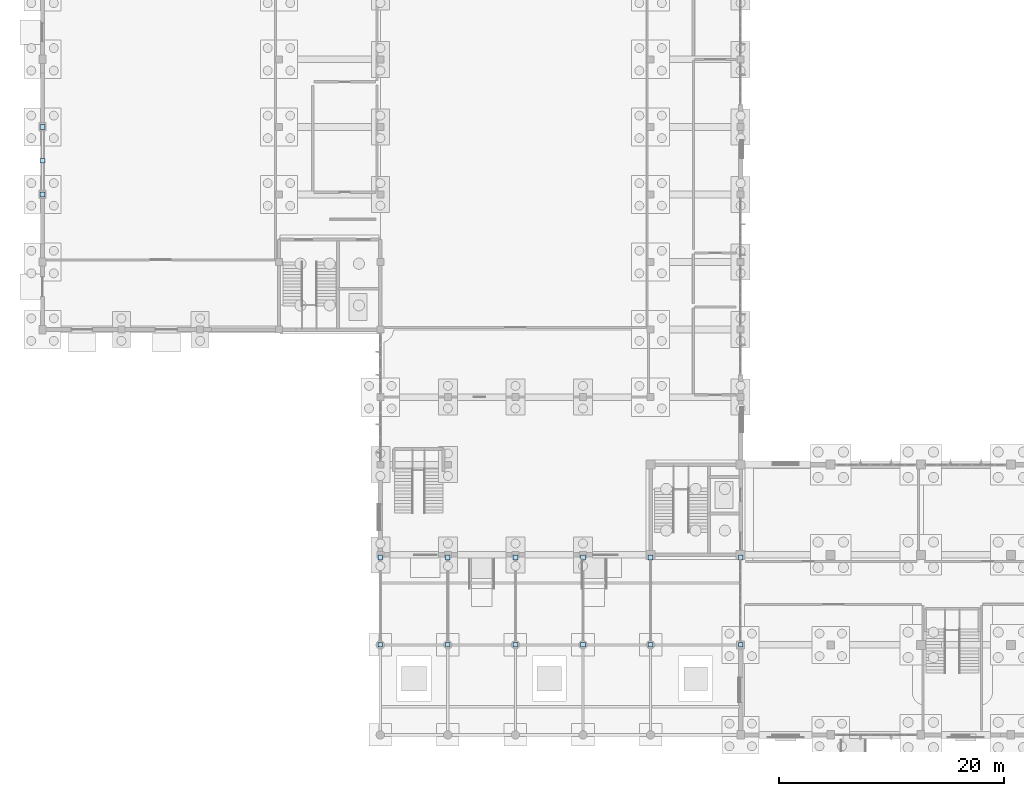
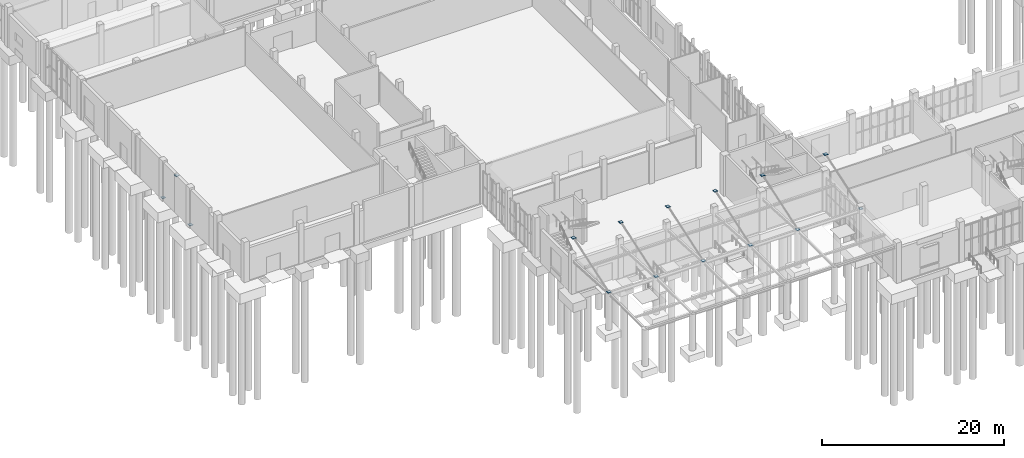
# One storey, part 41 of 69: 15 plates.
"""IFC4 building model written with IfcOpenShell, lengths in metres."""

import ifcopenshell
import ifcopenshell.guid

model = None  # the IFC model being written
_history = None  # IfcOwnerHistory: only IFC2X3 demands one
_inside = {}  # id of a spatial element -> (the spatial element, [elements in it])
_under = {}  # id of a project, library or spatial element -> (it, [spatial elements below it])
_declared = {}  # id of a project -> (the project, [libraries it declares])
_typed = {}  # id of a type object -> (the type object, [elements of that type])
_made_of = {}  # id of a material, layer set ... -> (it, [elements and type objects made of it])


def new_model(schema):
    """Start an empty IFC model of exactly this schema.

    Asked for "IFC4X3", IfcOpenShell would pick the latest addendum, in which some entities
    have other attributes; the version numbers below select the first issue.
    IFC2X3 requires an IfcOwnerHistory on every rooted entity: one is made here for all.
    """
    global model, _history
    if schema == "IFC4X3":
        model = ifcopenshell.file(schema_version=(4, 3, 0, 0))
    else:
        model = ifcopenshell.file(schema=schema)
    _inside.clear()
    _under.clear()
    _declared.clear()
    _typed.clear()
    _made_of.clear()
    _history = None
    if model.schema == "IFC2X3":
        org = make("IfcOrganization", Name="unknown")
        user = make(
            "IfcPersonAndOrganization",
            ThePerson=make("IfcPerson", FamilyName="unknown"),
            TheOrganization=org,
        )
        app = make(
            "IfcApplication",
            ApplicationDeveloper=org,
            Version="unknown",
            ApplicationFullName="unknown",
            ApplicationIdentifier="unknown",
        )
        _history = make(
            "IfcOwnerHistory",
            OwningUser=user,
            OwningApplication=app,
            ChangeAction="ADDED",
            CreationDate=0,
        )
    return model


def make(cls, **values):
    """One entity of the class cls with the attributes given. An attribute that is None is left unset."""
    return model.create_entity(
        cls, **{name: value for name, value in values.items() if value is not None}
    )


def rooted(cls, **values):
    """An entity with a GlobalId (a new one), such as an element, a storey or a relation."""
    return make(cls, GlobalId=ifcopenshell.guid.new(), OwnerHistory=_history, **values)


def si_unit(unit_type, name, prefix=None):
    """IfcSIUnit, for example si_unit("LENGTHUNIT", "METRE", prefix="MILLI")."""
    return make("IfcSIUnit", UnitType=unit_type, Prefix=prefix, Name=name)


def assignment(units):
    """IfcUnitAssignment: the units of a project."""
    return None if units is None else make("IfcUnitAssignment", Units=units)


def point(xyz):
    """IfcCartesianPoint."""
    return None if xyz is None else make("IfcCartesianPoint", Coordinates=xyz)


def direction(xyz):
    """IfcDirection."""
    return None if xyz is None else make("IfcDirection", DirectionRatios=xyz)


def frame(location, z_axis=None, x_axis=None):
    """IfcAxis2Placement3D, a coordinate frame: its origin and axes. An axis left out is left unset."""
    return make(
        "IfcAxis2Placement3D",
        Location=point(location),
        Axis=direction(z_axis),
        RefDirection=direction(x_axis),
    )


def frame_2d(location, x_axis=None):
    """IfcAxis2Placement2D, a coordinate frame in the plane: its origin and x axis."""
    return make(
        "IfcAxis2Placement2D", Location=point(location), RefDirection=direction(x_axis)
    )


def origin():
    """The frame at (0, 0, 0) with its axes left unset."""
    return frame((0.0, 0.0, 0.0))


def origin_2d():
    """The frame at (0, 0) in the plane with its x axis left unset."""
    return frame_2d((0.0, 0.0))


def place(relative_to, where):
    """IfcLocalPlacement: puts the frame where relative to a parent placement (None: the world)."""
    return make(
        "IfcLocalPlacement", PlacementRelTo=relative_to, RelativePlacement=where
    )


def context(
    kind, dimensions, precision=None, world=None, true_north=None, identifier=None
):
    """IfcGeometricRepresentationContext, for example the 3D "Model" context."""
    return make(
        "IfcGeometricRepresentationContext",
        ContextIdentifier=identifier,
        ContextType=kind,
        CoordinateSpaceDimension=dimensions,
        Precision=precision,
        WorldCoordinateSystem=world,
        TrueNorth=true_north,
    )


def subcontext(parent, identifier, kind, view, scale=None):
    """IfcGeometricRepresentationSubContext, for example "Body" below "Model"."""
    return make(
        "IfcGeometricRepresentationSubContext",
        ContextIdentifier=identifier,
        ContextType=kind,
        ParentContext=parent,
        TargetScale=scale,
        TargetView=view,
    )


def project(units=None, contexts=None):
    """IfcProject with its units and contexts."""
    return rooted(
        "IfcProject",
        Name="project",
        RepresentationContexts=contexts,
        UnitsInContext=assignment(units),
    )


def spatial(cls, under=None, at=None, **own):
    """A site, building, storey or space (cls), placed at a placement, below another one or the project."""
    s = rooted(cls, ObjectPlacement=at, **own)
    if under is not None:
        _under.setdefault(under.id(), (under, []))[1].append(s)
    return s


def profile(cls, at=None, kind="AREA", **sizes):
    """A parametric profile (cls). Its sizes go by their IFC names, for example OverallWidth=200.0."""
    return make(cls, ProfileType=kind, Position=at, **sizes)


def rectangle(**sizes):
    """IfcRectangleProfileDef."""
    return profile("IfcRectangleProfileDef", **sizes)


def extrude(swept, where, along, depth):
    """IfcExtrudedAreaSolid: the profile swept, set in the frame where, extruded along a direction by depth."""
    return make(
        "IfcExtrudedAreaSolid",
        SweptArea=swept,
        Position=where,
        ExtrudedDirection=direction(along),
        Depth=depth,
    )


def shape(context_of_items, identifier, shape_type, items):
    """IfcShapeRepresentation: the items that make up one representation, for example the "Body"."""
    return make(
        "IfcShapeRepresentation",
        ContextOfItems=context_of_items,
        RepresentationIdentifier=identifier,
        RepresentationType=shape_type,
        Items=items,
    )


def material(Name=None, Category=None):
    """IfcMaterial."""
    return make("IfcMaterial", Name=Name, Category=Category)


def layer(
    of_material, thickness, ventilated=None, Name=None, Category=None, Priority=None
):
    """IfcMaterialLayer: one layer of a wall or slab, of a material (None: an air gap)."""
    return make(
        "IfcMaterialLayer",
        Material=of_material,
        LayerThickness=thickness,
        IsVentilated=ventilated,
        Name=Name,
        Category=Category,
        Priority=Priority,
    )


def layer_set(layers, Name=None):
    """IfcMaterialLayerSet."""
    return make("IfcMaterialLayerSet", MaterialLayers=layers, LayerSetName=Name)


def made_of(thing, what):
    """Note that an element or type object is made of a material, layer set ...; save() writes the relation."""
    if what is not None:
        _made_of.setdefault(what.id(), (what, []))[1].append(thing)
    return thing


def type_object(cls, material=None, **own):
    """A type object (cls), such as IfcWallType, which elements share."""
    return made_of(rooted(cls, **own), material)


def element(
    cls,
    number,
    at=None,
    inside=None,
    cuts=None,
    type_object=None,
    material=None,
    context=None,
    identifier="Body",
    shape_type=None,
    held_by="IfcProductDefinitionShape",
    body=None,
    shapes=None,
    **own,
):
    """One element of the class cls, such as IfcWall. Its Tag is "e" and its number.

    at: its placement. inside: the storey or other place that contains it. cuts: it is an
    opening in that element (IfcRelVoidsElement). A single representation is given by context,
    identifier, shape_type and body (its items); several are given by shapes. held_by: the class
    of the entity that holds the representations. save() writes the other relations.
    """
    e = rooted(cls, Tag="e%d" % number, ObjectPlacement=at, **own)
    if body is not None:
        shapes = [shape(context, identifier, shape_type, body)]
    if shapes is not None:
        e.Representation = make(held_by, Representations=shapes)
    if inside is not None:
        _inside.setdefault(inside.id(), (inside, []))[1].append(e)
    if cuts is not None:
        rooted(
            "IfcRelVoidsElement", RelatingBuildingElement=cuts, RelatedOpeningElement=e
        )
    if type_object is not None:
        _typed.setdefault(type_object.id(), (type_object, []))[1].append(e)
    return made_of(e, material)


def aggregate(whole, parts):
    """IfcRelAggregates: a whole, such as a stair, and the parts it consists of."""
    return rooted("IfcRelAggregates", RelatingObject=whole, RelatedObjects=parts)


def save(model, path):
    """Write the relations noted so far, then the file.

    IfcRelAggregates (storeys below a building ...), IfcRelContainedInSpatialStructure (elements
    in a storey), IfcRelDefinesByType, IfcRelAssociatesMaterial and IfcRelDeclares: one each for
    every whole, place, type object, material and project.
    """
    for whole, parts in _under.values():
        aggregate(whole, parts)
    for where, things in _inside.values():
        rooted(
            "IfcRelContainedInSpatialStructure",
            RelatedElements=things,
            RelatingStructure=where,
        )
    for kind, things in _typed.values():
        rooted("IfcRelDefinesByType", RelatedObjects=things, RelatingType=kind)
    for what, things in _made_of.values():
        rooted("IfcRelAssociatesMaterial", RelatedObjects=things, RelatingMaterial=what)
    for by, libraries in _declared.values():
        rooted("IfcRelDeclares", RelatingContext=by, RelatedDefinitions=libraries)
    model.write(path)


model = new_model("IFC4")

# Units and contexts
model_context = context("Model", 3, precision=1e-05, world=origin(), true_north=direction((0.0, 1.0)))
body_context = subcontext(model_context, "Body", "Model", "MODEL_VIEW")
ifc_project = project(units=[si_unit("LENGTHUNIT", "METRE"), si_unit("AREAUNIT", "SQUARE_METRE"), si_unit("VOLUMEUNIT", "CUBIC_METRE"), si_unit("PLANEANGLEUNIT", "RADIAN"), si_unit("MASSUNIT", "GRAM", prefix="KILO")], contexts=[model_context])

# Site, building, storey
site_placement = place(None, origin())
site = spatial("IfcSite", under=ifc_project, at=site_placement, CompositionType="ELEMENT")
building_placement = place(site_placement, origin())
building = spatial("IfcBuilding", under=site, at=building_placement, Name="Solvane Community Centre", CompositionType="ELEMENT")
storey_placement = place(building_placement, origin())
storey = spatial("IfcBuildingStorey", under=building, at=storey_placement, Name="L00", CompositionType="ELEMENT", Elevation=0.0)

# Plates
ifc_material = material(Name="Steel ASTM A572 Grade 50", Category="steel")
ifc_layer = layer(ifc_material, 0.02392578125)
ifc_layer_set = layer_set([ifc_layer], Name="Steel ASTM A572 Grade 50")
plate_type = type_object("IfcPlateType", Name="Bracing Node Gusset Plate 420x420x24", PredefinedType="USERDEFINED", material=ifc_layer_set)
for number, where, z_axis, x_axis, name in (
    (1, (6.0, 57.0, 4.998046875), (0.0, 0.0, 1.0), (1.0, 0.0, 0.0), "Gusset Plate PLT-L00-0106"),
    (2, (6.0, 54.0, 0.2080078125), (0.0, 0.0, 1.0), (1.0, 0.0, 0.0), "Gusset Plate PLT-L00-0107"),
    (3, (6.0, 60.0, 0.2080078125), (0.0, 0.0, 1.0), (1.0, 0.0, 0.0), "Gusset Plate PLT-L00-0108"),
    (4, (36.0, 21.75, 7.488037109375), (0.0, 0.0, 1.0), (1.0, 0.0, 0.0), "Gusset Plate PLT-L00-0127"),
    (5, (36.0, 14.0, 4.907958984375), (0.0, 0.0, 1.0), (1.0, 0.0, 0.0), "Gusset Plate PLT-L00-0128"),
    (6, (42.0, 21.75, 7.488037109375), (0.0, 0.0, 1.0), (1.0, 0.0, 0.0), "Gusset Plate PLT-L00-0129"),
    (7, (42.0, 14.0, 4.907958984375), (0.0, 0.0, 1.0), (1.0, 0.0, 0.0), "Gusset Plate PLT-L00-0130"),
    (8, (48.0, 21.75, 7.488037109375), (0.0, 0.0, 1.0), (1.0, 0.0, 0.0), "Gusset Plate PLT-L00-0131"),
    (9, (48.0, 14.0, 4.907958984375), (0.0, 0.0, 1.0), (1.0, 0.0, 0.0), "Gusset Plate PLT-L00-0132"),
    (10, (54.0, 21.75, 7.488037109375), (0.0, 0.0, 1.0), (1.0, 0.0, 0.0), "Gusset Plate PLT-L00-0133"),
    (11, (54.0, 14.0, 4.907958984375), (0.0, 0.0, 1.0), (1.0, 0.0, 0.0), "Gusset Plate PLT-L00-0134"),
    (12, (60.0, 21.75, 7.488037109375), (0.0, 0.0, 1.0), (1.0, 0.0, 0.0), "Gusset Plate PLT-L00-0135"),
    (13, (60.0, 14.0, 4.907958984375), (0.0, 0.0, 1.0), (1.0, 0.0, 0.0), "Gusset Plate PLT-L00-0136"),
    (14, (68.0, 21.75, 7.488037109375), (0.0, 0.0, 1.0), (1.0, 0.0, 0.0), "Gusset Plate PLT-L00-0137"),
    (15, (68.0, 14.0, 4.907958984375), (0.0, 0.0, 1.0), (1.0, 0.0, 0.0), "Gusset Plate PLT-L00-0138"),
):
    element("IfcPlate", number, at=place(storey_placement, frame(where, z_axis=z_axis, x_axis=x_axis)), inside=storey, type_object=plate_type, Name=name, ObjectType="GUSSET_PLATE", PredefinedType="USERDEFINED", context=body_context, shape_type="SweptSolid", body=[
        extrude(rectangle(XDim=0.419921875, YDim=0.419921875, at=origin_2d()), origin(), (0.0, 0.0, 1.0), 0.02392578125),
    ])

save(model, "model.ifc")
